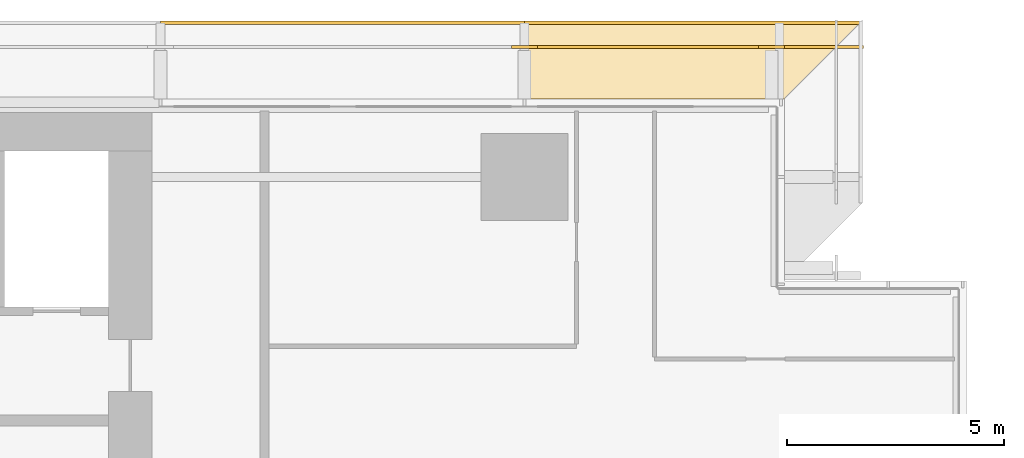
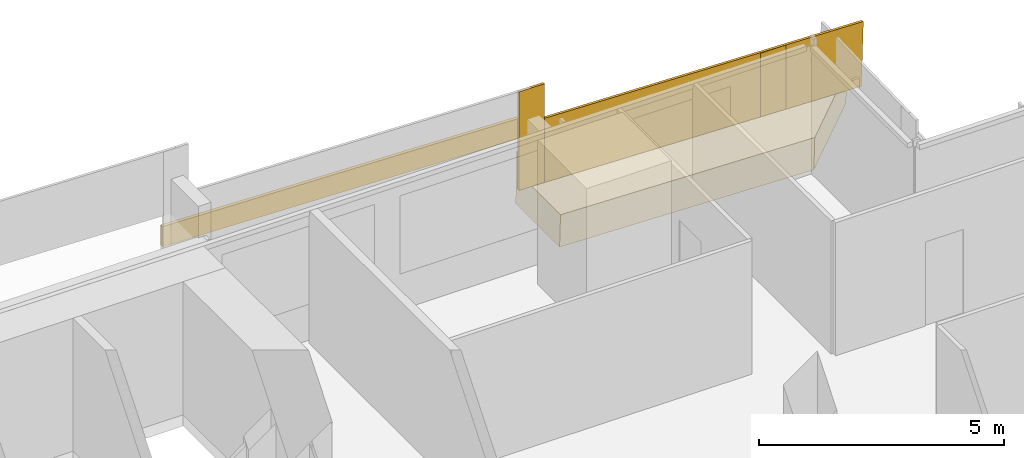
# One storey, part 27 of 29: 3 coverings, 3 railings.
"""IFC4 building model written with IfcOpenShell, lengths in metres."""

from ifc_helpers import new_model, si_unit, direction, frame, origin, origin_2d, place, context, subcontext, project, spatial, polyline, rectangle, outline, extrude, material, layer, layer_set, type_object, element, save


model = new_model("IFC4")

# Units and contexts
model_context = context("Model", 3, precision=1e-05, world=origin(), true_north=direction((0.0, 1.0)))
body_context = subcontext(model_context, "Body", "Model", "MODEL_VIEW")
ifc_project = project(units=[si_unit("LENGTHUNIT", "METRE"), si_unit("AREAUNIT", "SQUARE_METRE"), si_unit("VOLUMEUNIT", "CUBIC_METRE"), si_unit("PLANEANGLEUNIT", "RADIAN"), si_unit("MASSUNIT", "GRAM", prefix="KILO")], contexts=[model_context])

# Site, building, storey
site_placement = place(None, origin())
site = spatial("IfcSite", under=ifc_project, at=site_placement, CompositionType="ELEMENT")
building_placement = place(site_placement, origin())
building = spatial("IfcBuilding", under=site, at=building_placement, Name="Saffron Gate Tower", CompositionType="ELEMENT")
storey_placement = place(building_placement, frame((0.0, 0.0, 116.85009765625)))
storey = spatial("IfcBuildingStorey", under=building, at=storey_placement, Name="L27", CompositionType="ELEMENT", Elevation=116.85009765625)

# Coverings
ifc_material = material(Name="Timber, thermally modified ash", Category="wood")
ifc_layer_1 = layer(ifc_material, 0.800048828125)
ifc_layer_set_1 = layer_set([ifc_layer_1], Name="LD1 ledge timber")
covering_type_1 = type_object("IfcCoveringType", Name="LD1 ledge timber", PredefinedType="CLADDING", material=ifc_layer_set_1)
covering_1_placement = place(storey_placement, frame((123.0, 75.60009765625, 0.72900390625), z_axis=(0.028807146299, 3.5032058e-05, 0.99958498743), x_axis=(-0.999584988043, 3.68e-10, 0.028807146316)))
element("IfcCovering", 1, at=covering_1_placement, inside=storey, type_object=covering_type_1, Name="LEDGE", PredefinedType="CLADDING", context=body_context, shape_type="SweptSolid", body=[
    extrude(outline(polyline([(0.0, 0.0), (6.0024892885105, 0.0), (6.002489289172793, -1.7998046863955992), (-1.800799813548424, -1.799804691475862), (0.0, 0.0)])), origin(), (0.0, 0.0, -1.0), 0.800048828125),
])
ifc_layer_2 = layer(ifc_material, 0.080078125)
ifc_layer_set_2 = layer_set([ifc_layer_2], Name="LD2 ledge planter trough")
covering_type_2 = type_object("IfcCoveringType", Name="LD2 ledge planter trough", PredefinedType="CLADDING", material=ifc_layer_set_2)
covering_2_placement = place(storey_placement, frame((124.800048828125, 77.39990234375, 0.677001953125), z_axis=(0.0, 1.0, 0.0), x_axis=(-0.999584755248, 0.0, 0.028815222999)))
element("IfcCovering", 2, at=covering_2_placement, inside=storey, type_object=covering_type_2, Name="LEDGE planter trough", PredefinedType="CLADDING", context=body_context, shape_type="SweptSolid", body=[
    extrude(outline(polyline([(0.0, 0.0), (7.803289102975944, 0.0), (7.8176967144752565, 0.4997923776238338), (0.014407611499312996, 0.4997923776238338), (0.0, 0.0)])), origin(), (0.0, 0.0, -1.0), 0.080078125),
])
covering_3_placement = place(storey_placement, frame((117.0, 77.39990234375, 1.75927734375), z_axis=(0.0, 1.0, 0.0), x_axis=(-0.999585448184, 0.0, 0.028791175352)))
element("IfcCovering", 3, at=covering_3_placement, inside=storey, type_object=covering_type_2, Name="LEDGE planter trough", PredefinedType="CLADDING", context=body_context, shape_type="SweptSolid", body=[
    extrude(outline(polyline([(0.0, 0.0), (8.403385982666892, 0.0), (8.417781570342743, 0.49979272409216496), (0.014395587675851172, 0.4997927240921649), (0.0, 0.0)])), origin(), (0.0, 0.0, -1.0), 0.080078125),
])

# Railings
railing_type = type_object("IfcRailingType", Name="LG1 ledge balustrade", PredefinedType="BALUSTRADE", material=ifc_material)
railing_1_placement = place(storey_placement, frame((124.800048828125, 76.800048828125, 0.677001953125)))
element("IfcRailing", 4, at=railing_1_placement, inside=storey, type_object=railing_type, Name="LEDGE BALUSTRADE", PredefinedType="BALUSTRADE", context=body_context, shape_type="SweptSolid", body=[
    extrude(rectangle(XDim=0.06005859375, YDim=1.60009765625, at=origin_2d()), frame((0.0, 0.0, 0.800048828125), z_axis=(-0.999584755248, 0.0, 0.028815222999), x_axis=(0.0, -1.0, 0.0)), (0.0, 0.0, 1.0), 7.80322265625),
])
railing_2_placement = place(storey_placement, frame((123.0, 76.800048828125, 0.4716796875)))
element("IfcRailing", 5, at=railing_2_placement, inside=storey, type_object=railing_type, Name="LEDGE BALUSTRADE", PredefinedType="BALUSTRADE", context=body_context, shape_type="SweptSolid", body=[
    extrude(rectangle(XDim=0.06005859375, YDim=1.857177734375, at=origin_2d()), frame((0.0, 0.0, 0.9287109375), z_axis=(-1.0, 0.0, 0.0), x_axis=(0.0, -1.0, 0.0)), (0.0, 0.0, 1.0), 0.60009765625),
])
railing_3_placement = place(storey_placement, frame((117.300048828125, 76.800048828125, 0.90185546875)))
element("IfcRailing", 6, at=railing_3_placement, inside=storey, type_object=railing_type, Name="LEDGE BALUSTRADE", PredefinedType="BALUSTRADE", context=body_context, shape_type="SweptSolid", body=[
    extrude(rectangle(XDim=0.06005859375, YDim=2.45751953125, at=origin_2d()), frame((0.0, 0.0, 1.228759765625), z_axis=(-1.0, 0.0, 0.0), x_axis=(0.0, -1.0, 0.0)), (0.0, 0.0, 1.0), 0.60009765625),
])

save(model, "model.ifc")
